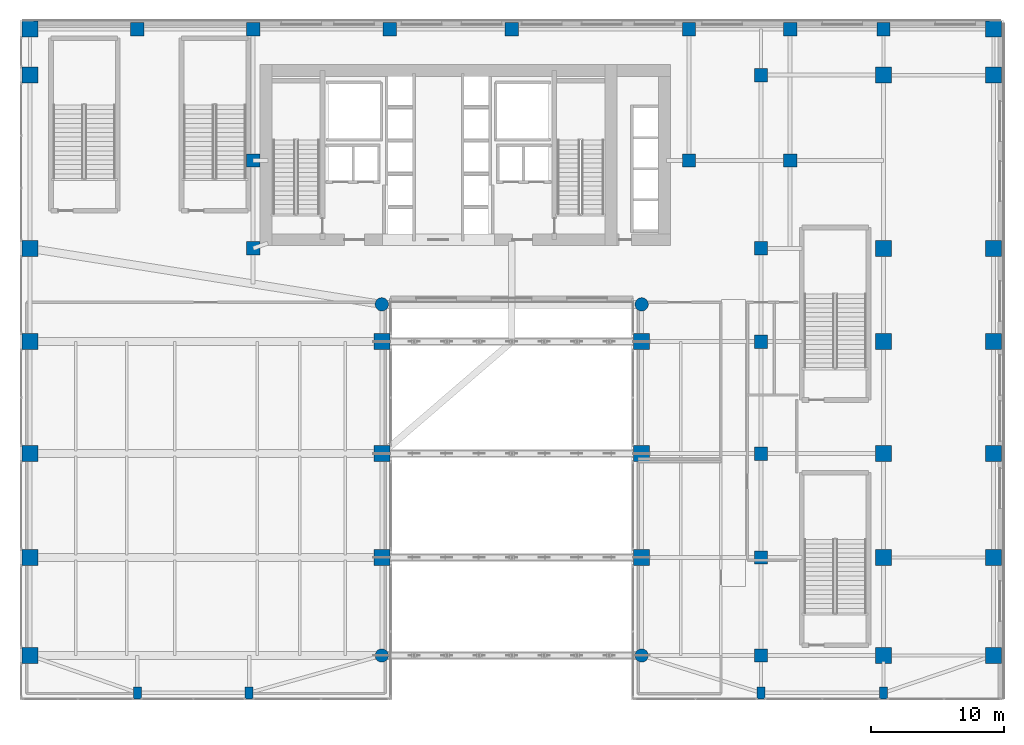
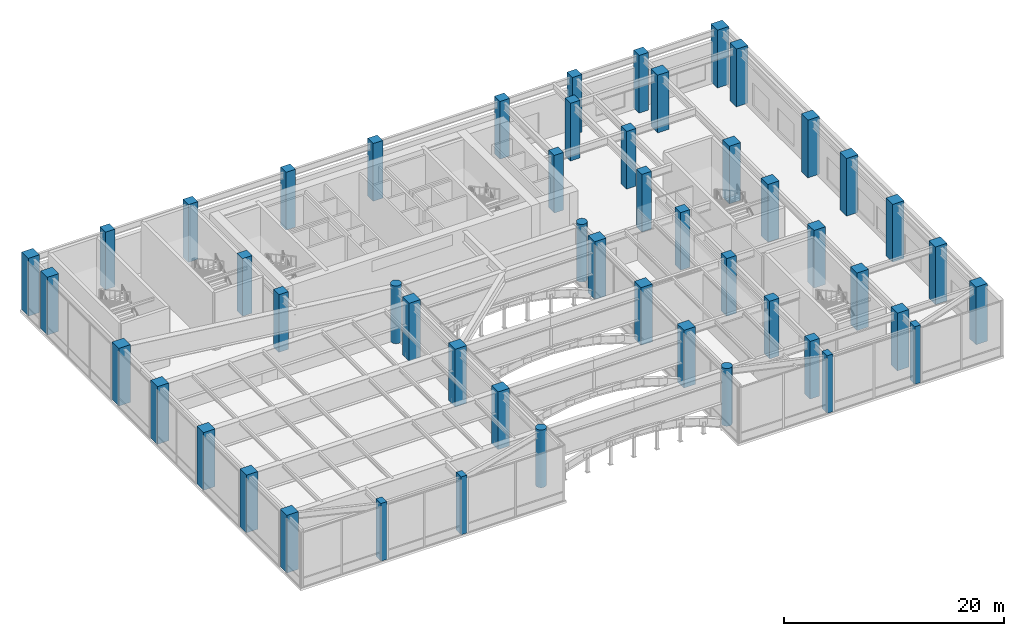
# One storey, part 1 of 50: 51 columns.
"""IFC4 building model written with IfcOpenShell, lengths in metres."""

from ifc_helpers import new_model, si_unit, direction, frame, origin, origin_2d, place, context, subcontext, project, spatial, rectangle, circle, extrude, source, transform, mapped, material, material_profile, profile_set, type_object, type_shapes, element, save


model = new_model("IFC4")

# Units and contexts
model_context = context("Model", 3, precision=1e-05, world=origin(), true_north=direction((0.0, 1.0)))
body_context = subcontext(model_context, "Body", "Model", "MODEL_VIEW")
ifc_project = project(units=[si_unit("LENGTHUNIT", "METRE"), si_unit("AREAUNIT", "SQUARE_METRE"), si_unit("VOLUMEUNIT", "CUBIC_METRE"), si_unit("PLANEANGLEUNIT", "RADIAN"), si_unit("MASSUNIT", "GRAM", prefix="KILO")], contexts=[model_context])

# Site, building, storey
site_placement = place(None, origin())
site = spatial("IfcSite", under=ifc_project, at=site_placement, CompositionType="ELEMENT")
building_placement = place(site_placement, origin())
building = spatial("IfcBuilding", under=site, at=building_placement, Name="Tolvann Quenvar Hotel", CompositionType="ELEMENT")
storey_placement = place(building_placement, frame((0.0, 0.0, 16.0)))
storey = spatial("IfcBuildingStorey", under=building, at=storey_placement, Name="L03", CompositionType="ELEMENT", Elevation=16.0)

# Columns
ifc_material_1 = material(Name="Concrete S80 (80 MPa)", Category="concrete")
ifc_material_profile_1 = material_profile(ifc_material_1, rectangle(XDim=1.199951171875, YDim=1.199951171875, at=origin_2d()), Name="RC1200x1200")
ifc_profile_set_1 = profile_set([ifc_material_profile_1], Name="Concrete S80 (80 MPa)")
column_type_1 = type_object("IfcColumnType", Name="COL_RC1200", PredefinedType="COLUMN", material=ifc_profile_set_1)
shared_shape_1 = source(origin(), body_context, "Body", "SweptSolid", [
    extrude(rectangle(XDim=1.199951171875, YDim=1.199951171875, at=origin_2d()), origin(), (0.0, 0.0, 1.0), 6.39990234375),
])
type_shapes(column_type_1, [shared_shape_1])
for number, where, z_axis, x_axis, name in (
    (1, (-7.64990234375, 0.85009765625, 0.0), (0.0, 0.0, 1.0), (1.0, 0.0, 0.0), "Column PA1 (L03)"),
    (2, (64.64990234375, 0.85009765625, 0.0), (0.0, 0.0, 1.0), (1.0, 0.0, 0.0), "Column PK1 (L03)"),
    (3, (-7.64990234375, 8.199951171875, 0.0), (0.0, 0.0, 1.0), (1.0, 0.0, 0.0), "Column PA2 (L03)"),
    (4, (64.64990234375, 8.199951171875, 0.0), (0.0, 0.0, 1.0), (1.0, 0.0, 0.0), "Column PK2 (L03)"),
    (5, (-7.64990234375, 16.0, 0.0), (0.0, 0.0, 1.0), (1.0, 0.0, 0.0), "Column PA3 (L03)"),
    (6, (64.64990234375, 16.0, 0.0), (0.0, 0.0, 1.0), (1.0, 0.0, 0.0), "Column PK3 (L03)"),
    (7, (-7.64990234375, 24.39990234375, 0.0), (0.0, 0.0, 1.0), (1.0, 0.0, 0.0), "Column PA4 (L03)"),
    (8, (64.64990234375, 24.39990234375, 0.0), (0.0, 0.0, 1.0), (1.0, 0.0, 0.0), "Column PK4 (L03)"),
    (9, (-7.64990234375, 31.39990234375, 0.0), (0.0, 0.0, 1.0), (1.0, 0.0, 0.0), "Column PA5 (L03)"),
    (10, (64.64990234375, 31.39990234375, 0.0), (0.0, 0.0, 1.0), (1.0, 0.0, 0.0), "Column PK5 (L03)"),
    (11, (-7.64990234375, 44.39990234375, 0.0), (0.0, 0.0, 1.0), (1.0, 0.0, 0.0), "Column PA6 (L03)"),
    (12, (64.64990234375, 44.39990234375, 0.0), (0.0, 0.0, 1.0), (1.0, 0.0, 0.0), "Column PK6 (L03)"),
    (13, (-7.64990234375, 47.85009765625, 0.0), (0.0, 0.0, 1.0), (1.0, 0.0, 0.0), "Column PAN (L03)"),
    (14, (64.64990234375, 47.85009765625, 0.0), (0.0, 0.0, 1.0), (1.0, 0.0, 0.0), "Column PKN (L03)"),
    (15, (18.75, 8.199951171875, 0.0), (0.0, 0.0, 1.0), (1.0, 0.0, 0.0), "Column PAPW2 (L03)"),
    (16, (38.25, 8.199951171875, 0.0), (0.0, 0.0, 1.0), (1.0, 0.0, 0.0), "Column PAPE2 (L03)"),
    (17, (18.75, 16.0, 0.0), (0.0, 0.0, 1.0), (1.0, 0.0, 0.0), "Column PAPW3 (L03)"),
    (18, (38.25, 16.0, 0.0), (0.0, 0.0, 1.0), (1.0, 0.0, 0.0), "Column PAPE3 (L03)"),
    (19, (18.75, 24.39990234375, 0.0), (0.0, 0.0, 1.0), (1.0, 0.0, 0.0), "Column PAPW4 (L03)"),
    (20, (38.25, 24.39990234375, 0.0), (0.0, 0.0, 1.0), (1.0, 0.0, 0.0), "Column PAPE4 (L03)"),
    (21, (56.39990234375, 0.85009765625, 0.0), (0.0, 0.0, 1.0), (1.0, 0.0, 0.0), "Column PJ1 (L03)"),
    (22, (56.39990234375, 8.199951171875, 0.0), (0.0, 0.0, 1.0), (1.0, 0.0, 0.0), "Column PJ2 (L03)"),
    (23, (56.39990234375, 16.0, 0.0), (0.0, 0.0, 1.0), (1.0, 0.0, 0.0), "Column PJ3 (L03)"),
    (24, (56.39990234375, 24.39990234375, 0.0), (0.0, 0.0, 1.0), (1.0, 0.0, 0.0), "Column PJ4 (L03)"),
    (25, (56.39990234375, 31.39990234375, 0.0), (0.0, 0.0, 1.0), (1.0, 0.0, 0.0), "Column PJ5 (L03)"),
    (26, (56.39990234375, 44.39990234375, 0.0), (0.0, 0.0, 1.0), (1.0, 0.0, 0.0), "Column PJ6 (L03)"),
):
    element("IfcColumn", number, at=place(storey_placement, frame(where, z_axis=z_axis, x_axis=x_axis)), inside=storey, type_object=column_type_1, Name=name, PredefinedType="COLUMN", context=body_context, shape_type="MappedRepresentation", body=[
        mapped(shared_shape_1, transform((0.0, 0.0, 0.0), x_axis=(1.0, 0.0, 0.0), y_axis=(0.0, 1.0, 0.0), z_axis=(0.0, 0.0, 1.0), scale=1.0)),
    ])
ifc_material_2 = material(Name="Concrete S65 (65 MPa)", Category="concrete")
ifc_material_profile_2 = material_profile(ifc_material_2, circle(Radius=0.5, at=origin_2d()), Name="RCC1000")
ifc_profile_set_2 = profile_set([ifc_material_profile_2], Name="Concrete S65 (65 MPa)")
column_type_2 = type_object("IfcColumnType", Name="COL_RCC1000", PredefinedType="COLUMN", material=ifc_profile_set_2)
shared_shape_2 = source(origin(), body_context, "Body", "SweptSolid", [
    extrude(circle(Radius=0.5, at=origin_2d()), origin(), (0.0, 0.0, 1.0), 6.39990234375),
])
type_shapes(column_type_2, [shared_shape_2])
for number, where, z_axis, x_axis, name in (
    (27, (18.75, 0.85009765625, 0.0), (0.0, 0.0, 1.0), (1.0, 0.0, 0.0), "Column PAPW1 (L03)"),
    (28, (38.25, 0.85009765625, 0.0), (0.0, 0.0, 1.0), (1.0, 0.0, 0.0), "Column PAPE1 (L03)"),
    (29, (18.75, 27.199951171875, 0.0), (0.0, 0.0, 1.0), (1.0, 0.0, 0.0), "Column PAPW5 (L03)"),
    (30, (38.25, 27.199951171875, 0.0), (0.0, 0.0, 1.0), (1.0, 0.0, 0.0), "Column PAPE5 (L03)"),
):
    element("IfcColumn", number, at=place(storey_placement, frame(where, z_axis=z_axis, x_axis=x_axis)), inside=storey, type_object=column_type_2, Name=name, PredefinedType="COLUMN", context=body_context, shape_type="MappedRepresentation", body=[
        mapped(shared_shape_2, transform((0.0, 0.0, 0.0), x_axis=(1.0, 0.0, 0.0), y_axis=(0.0, 1.0, 0.0), z_axis=(0.0, 0.0, 1.0), scale=1.0)),
    ])
ifc_material_profile_3 = material_profile(ifc_material_2, rectangle(XDim=1.0, YDim=1.0, at=origin_2d()), Name="RC1000x1000")
ifc_profile_set_3 = profile_set([ifc_material_profile_3], Name="Concrete S65 (65 MPa)")
column_type_3 = type_object("IfcColumnType", Name="COL_RC1000", PredefinedType="COLUMN", material=ifc_profile_set_3)
shared_shape_3 = source(origin(), body_context, "Body", "SweptSolid", [
    extrude(rectangle(XDim=1.0, YDim=1.0, at=origin_2d()), origin(), (0.0, 0.0, 1.0), 6.39990234375),
])
type_shapes(column_type_3, [shared_shape_3])
for number, where, z_axis, x_axis, name in (
    (31, (47.199951171875, 0.85009765625, 0.0), (0.0, 0.0, 1.0), (1.0, 0.0, 0.0), "Column PH1 (L03)"),
    (32, (47.199951171875, 8.199951171875, 0.0), (0.0, 0.0, 1.0), (1.0, 0.0, 0.0), "Column PH2 (L03)"),
    (33, (47.199951171875, 16.0, 0.0), (0.0, 0.0, 1.0), (1.0, 0.0, 0.0), "Column PH3 (L03)"),
    (34, (47.199951171875, 24.39990234375, 0.0), (0.0, 0.0, 1.0), (1.0, 0.0, 0.0), "Column PH4 (L03)"),
    (35, (47.199951171875, 31.39990234375, 0.0), (0.0, 0.0, 1.0), (1.0, 0.0, 0.0), "Column PH5 (L03)"),
    (36, (47.199951171875, 44.39990234375, 0.0), (0.0, 0.0, 1.0), (1.0, 0.0, 0.0), "Column PH6 (L03)"),
    (37, (0.39990234375, 47.85009765625, 0.0), (0.0, 0.0, 1.0), (1.0, 0.0, 0.0), "Column PN1 (L03)"),
    (38, (9.10009765625, 47.85009765625, 0.0), (0.0, 0.0, 1.0), (1.0, 0.0, 0.0), "Column PN2 (L03)"),
    (39, (19.35009765625, 47.85009765625, 0.0), (0.0, 0.0, 1.0), (1.0, 0.0, 0.0), "Column PN3 (L03)"),
    (40, (28.5, 47.85009765625, 0.0), (0.0, 0.0, 1.0), (1.0, 0.0, 0.0), "Column PN4 (L03)"),
    (41, (41.800048828125, 47.85009765625, 0.0), (0.0, 0.0, 1.0), (1.0, 0.0, 0.0), "Column PN5 (L03)"),
    (42, (49.39990234375, 47.85009765625, 0.0), (0.0, 0.0, 1.0), (1.0, 0.0, 0.0), "Column PN6 (L03)"),
    (43, (56.39990234375, 47.85009765625, 0.0), (0.0, 0.0, 1.0), (1.0, 0.0, 0.0), "Column PN7 (L03)"),
    (44, (9.10009765625, 38.0, 0.0), (0.0, 0.0, 1.0), (1.0, 0.0, 0.0), "Column PCN (L03)"),
    (45, (41.800048828125, 38.0, 0.0), (0.0, 0.0, 1.0), (1.0, 0.0, 0.0), "Column PHN (L03)"),
    (46, (49.39990234375, 38.0, 0.0), (0.0, 0.0, 1.0), (1.0, 0.0, 0.0), "Column PIN (L03)"),
    (47, (9.10009765625, 31.39990234375, 0.0), (0.0, 0.0, 1.0), (1.0, 0.0, 0.0), "Column PCNS (L03)"),
):
    element("IfcColumn", number, at=place(storey_placement, frame(where, z_axis=z_axis, x_axis=x_axis)), inside=storey, type_object=column_type_3, Name=name, PredefinedType="COLUMN", context=body_context, shape_type="MappedRepresentation", body=[
        mapped(shared_shape_3, transform((0.0, 0.0, 0.0), x_axis=(1.0, 0.0, 0.0), y_axis=(0.0, 1.0, 0.0), z_axis=(0.0, 0.0, 1.0), scale=1.0)),
    ])
ifc_material_3 = material(Name="Concrete N50 (50 MPa)", Category="concrete")
ifc_material_profile_4 = material_profile(ifc_material_3, rectangle(XDim=0.60009765625, YDim=0.89990234375, at=origin_2d()), Name="RC600x900")
ifc_profile_set_4 = profile_set([ifc_material_profile_4], Name="Concrete N50 (50 MPa)")
column_type_4 = type_object("IfcColumnType", Name="COL_PILASTER_600x900", PredefinedType="PILASTER", material=ifc_profile_set_4)
shared_shape_4 = source(origin(), body_context, "Body", "SweptSolid", [
    extrude(rectangle(XDim=0.60009765625, YDim=0.89990234375, at=origin_2d()), origin(), (0.0, 0.0, 1.0), 6.39990234375),
])
type_shapes(column_type_4, [shared_shape_4])
for number, where, z_axis, x_axis, name in (
    (48, (0.39990234375, -1.949951171875, 0.0), (0.0, 0.0, 1.0), (1.0, 0.0, 0.0), "Column PIL-S1 (L03)"),
    (49, (8.800048828125, -1.949951171875, 0.0), (0.0, 0.0, 1.0), (1.0, 0.0, 0.0), "Column PIL-S2 (L03)"),
    (50, (47.199951171875, -1.949951171875, 0.0), (0.0, 0.0, 1.0), (1.0, 0.0, 0.0), "Column PIL-S3 (L03)"),
    (51, (56.39990234375, -1.949951171875, 0.0), (0.0, 0.0, 1.0), (1.0, 0.0, 0.0), "Column PIL-S4 (L03)"),
):
    element("IfcColumn", number, at=place(storey_placement, frame(where, z_axis=z_axis, x_axis=x_axis)), inside=storey, type_object=column_type_4, Name=name, PredefinedType="PILASTER", context=body_context, shape_type="MappedRepresentation", body=[
        mapped(shared_shape_4, transform((0.0, 0.0, 0.0), x_axis=(1.0, 0.0, 0.0), y_axis=(0.0, 1.0, 0.0), z_axis=(0.0, 0.0, 1.0), scale=1.0)),
    ])

save(model, "model.ifc")
